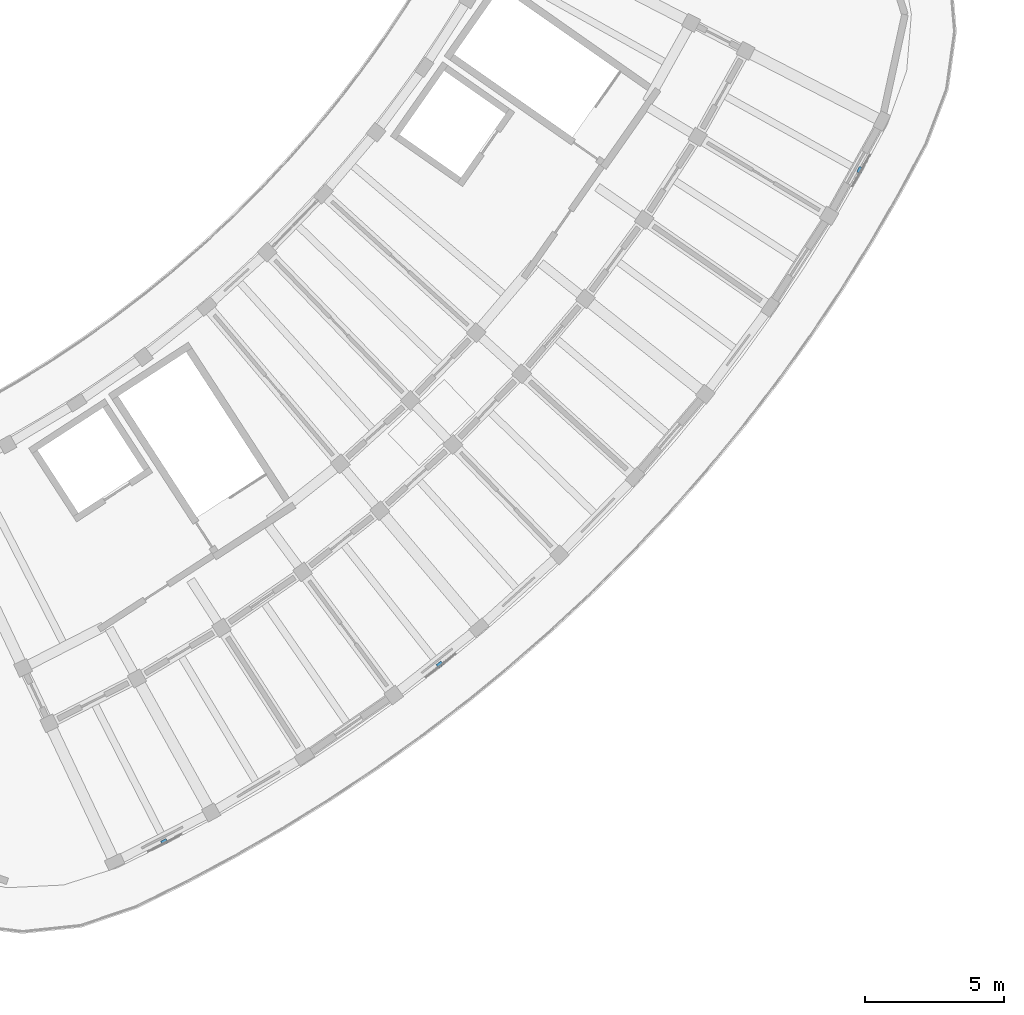
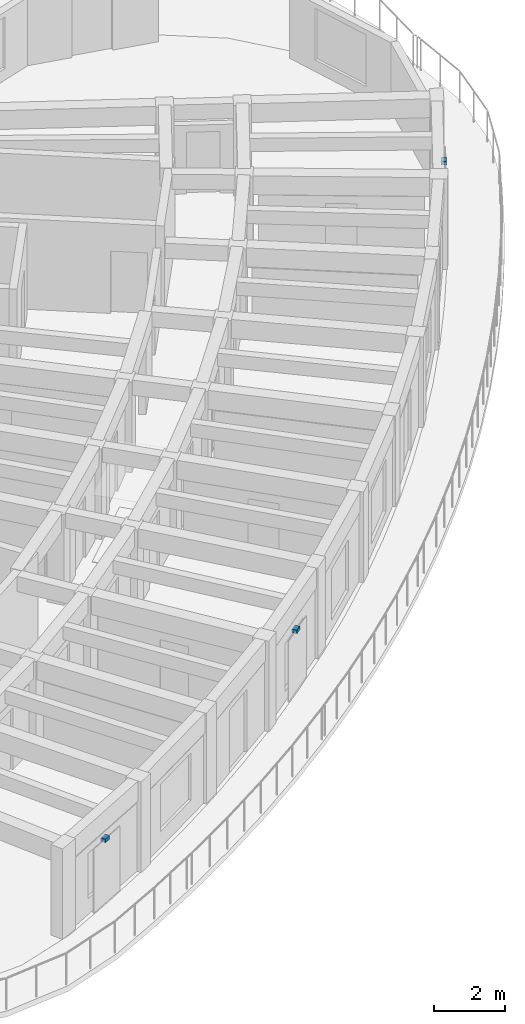
# One storey, part 40 of 56: 3 discrete accessories.
"""IFC4 building model written with IfcOpenShell, lengths in metres."""

from ifc_helpers import new_model, si_unit, direction, frame, origin, origin_2d, place, context, subcontext, project, spatial, rectangle, extrude, material, type_object, element, save


model = new_model("IFC4")

# Units and contexts
model_context = context("Model", 3, precision=1e-05, world=origin(), true_north=direction((0.0, 1.0)))
body_context = subcontext(model_context, "Body", "Model", "MODEL_VIEW")
ifc_project = project(units=[si_unit("LENGTHUNIT", "METRE"), si_unit("AREAUNIT", "SQUARE_METRE"), si_unit("VOLUMEUNIT", "CUBIC_METRE"), si_unit("PLANEANGLEUNIT", "RADIAN"), si_unit("MASSUNIT", "GRAM", prefix="KILO")], contexts=[model_context])

# Site, building, storey
site_placement = place(None, origin())
site = spatial("IfcSite", under=ifc_project, at=site_placement, CompositionType="ELEMENT")
building_placement = place(site_placement, origin())
building = spatial("IfcBuilding", under=site, at=building_placement, Name="Tanwirah Colonnade Gardens", CompositionType="ELEMENT")
storey_placement = place(building_placement, frame((0.0, 0.0, 29.0)))
storey = spatial("IfcBuildingStorey", under=building, at=storey_placement, Name="L08", CompositionType="ELEMENT", Elevation=29.0)

# Discrete accessories
ifc_material = material(Name="Steel S355", Category="steel")
discrete_accessory_type = type_object("IfcDiscreteAccessoryType", Name="BRK-SS1", PredefinedType="BRACKET", material=ifc_material)
for number, where, z_axis, x_axis, name in (
    (1, (148.18701171875, 11.363037109375, 2.10986328125), (0.0, 0.0, 1.0), (0.890013590842, 0.455933995352, 0.0), "Solar screen support bracket D-L08-03"),
    (2, (158.078369140625, 17.725341796875, 2.0), (0.0, 0.0, 1.0), (0.78396556, 0.620804317586, 0.0), "Solar screen support bracket D-L08-06"),
    (3, (173.15576171875, 35.47509765625, 2.10986328125), (0.0, 0.0, 1.0), (0.486716582508, 0.873559939736, 0.0), "Solar screen support bracket D-L08-12"),
):
    element("IfcDiscreteAccessory", number, at=place(storey_placement, frame(where, z_axis=z_axis, x_axis=x_axis)), inside=storey, type_object=discrete_accessory_type, Name=name, PredefinedType="BRACKET", context=body_context, shape_type="SweptSolid", body=[
        extrude(rectangle(XDim=0.219970703125, YDim=0.159912109375, at=origin_2d()), origin(), (0.0, 0.0, 1.0), 0.1201171875),
    ])

save(model, "model.ifc")
